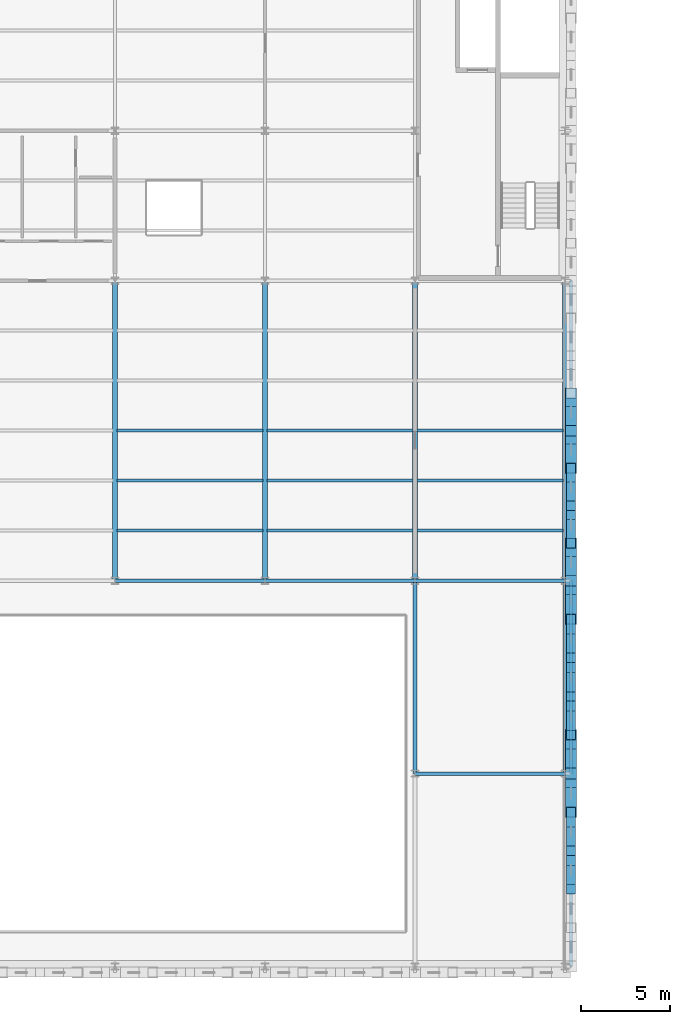
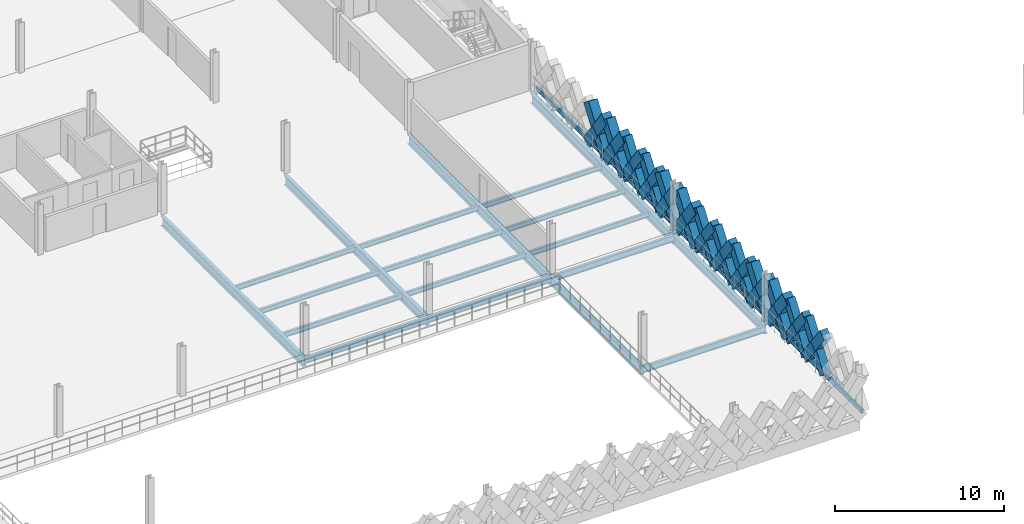
# One storey, part 24 of 79: 42 members, 19 beams.
"""IFC4 building model written with IfcOpenShell, lengths in metres."""

from ifc_helpers import new_model, si_unit, direction, frame, origin, origin_2d, place, context, subcontext, project, spatial, rectangle, hollow_rectangle, i_section, extrude, material, material_profile, profile_set, type_object, element, save


model = new_model("IFC4")

# Units and contexts
model_context = context("Model", 3, precision=1e-05, world=origin(), true_north=direction((0.0, 1.0)))
body_context = subcontext(model_context, "Body", "Model", "MODEL_VIEW")
ifc_project = project(units=[si_unit("LENGTHUNIT", "METRE"), si_unit("AREAUNIT", "SQUARE_METRE"), si_unit("VOLUMEUNIT", "CUBIC_METRE"), si_unit("PLANEANGLEUNIT", "RADIAN"), si_unit("MASSUNIT", "GRAM", prefix="KILO"), si_unit("THERMODYNAMICTEMPERATUREUNIT", "KELVIN"), si_unit("POWERUNIT", "WATT")], contexts=[model_context])

# Site, building, storey
site_placement = place(None, origin())
site = spatial("IfcSite", under=ifc_project, at=site_placement, CompositionType="ELEMENT")
building_placement = place(site_placement, origin())
building = spatial("IfcBuilding", under=site, at=building_placement, Name="Tembeka Court Mobility Hub", CompositionType="ELEMENT")
storey_placement = place(building_placement, frame((0.0, 0.0, 9.0)))
storey = spatial("IfcBuildingStorey", under=building, at=storey_placement, Name="L02", CompositionType="ELEMENT", Elevation=9.0)

# Beams
ifc_material_1 = material(Name="Steel S355", Category="steel")
ifc_material_profile_1 = material_profile(ifc_material_1, i_section(OverallWidth=0.18994140625, OverallDepth=0.45703125, WebThickness=0.009033203125, FlangeThickness=0.014404296875, FilletRadius=0.01025390625, at=origin_2d()), Name="UKB 457x191x74")
ifc_profile_set_1 = profile_set([ifc_material_profile_1], Name="Steel S355")
beam_type_1 = type_object("IfcBeamType", Name="BM-B01", PredefinedType="BEAM", material=ifc_profile_set_1)
beam_1_placement = place(storey_placement, frame((84.0, 10.800048828125, -0.448486328125), z_axis=(1.0, 0.0, 0.0), x_axis=(0.0, 1.0, 0.0)))
element("IfcBeam", 1, at=beam_1_placement, inside=storey, type_object=beam_type_1, Name="Beam B01 (BM-L02-X1187)", PredefinedType="BEAM", context=body_context, shape_type="SweptSolid", body=[
    extrude(i_section(OverallWidth=0.18994140625, OverallDepth=0.45703125, WebThickness=0.009033203125, FlangeThickness=0.014404296875, FilletRadius=0.01025390625, at=origin_2d()), origin(), (0.0, 0.0, 1.0), 8.39990234375),
])
beam_2_placement = place(storey_placement, frame((67.199951171875, 21.60009765625, -0.448486328125), z_axis=(1.0, 0.0, 0.0), x_axis=(0.0, 1.0, 0.0)))
element("IfcBeam", 2, at=beam_2_placement, inside=storey, type_object=beam_type_1, Name="Beam B01 (BM-L02-X1201)", PredefinedType="BEAM", context=body_context, shape_type="SweptSolid", body=[
    extrude(i_section(OverallWidth=0.18994140625, OverallDepth=0.45703125, WebThickness=0.009033203125, FlangeThickness=0.014404296875, FilletRadius=0.01025390625, at=origin_2d()), origin(), (0.0, 0.0, 1.0), 8.400146484375),
])
for number, where, z_axis, x_axis, name in (
    (3, (75.60009765625, 21.60009765625, -0.448486328125), (1.0, 0.0, 0.0), (0.0, 1.0, 0.0), "Beam B01 (BM-L02-X1202)"),
    (4, (84.0, 21.60009765625, -0.448486328125), (1.0, 0.0, 0.0), (0.0, 1.0, 0.0), "Beam B01 (BM-L02-X1203)"),
):
    element("IfcBeam", number, at=place(storey_placement, frame(where, z_axis=z_axis, x_axis=x_axis)), inside=storey, type_object=beam_type_1, Name=name, PredefinedType="BEAM", context=body_context, shape_type="SweptSolid", body=[
        extrude(i_section(OverallWidth=0.18994140625, OverallDepth=0.45703125, WebThickness=0.009033203125, FlangeThickness=0.014404296875, FilletRadius=0.01025390625, at=origin_2d()), origin(), (0.0, 0.0, 1.0), 8.39990234375),
    ])
ifc_material_profile_2 = material_profile(ifc_material_1, i_section(OverallWidth=0.25390625, OverallDepth=0.68408203125, WebThickness=0.012451171875, FlangeThickness=0.01904296875, FilletRadius=0.01513671875, at=origin_2d()), Name="UKB 686x254x140")
ifc_profile_set_2 = profile_set([ifc_material_profile_2], Name="Steel S355")
beam_type_2 = type_object("IfcBeamType", Name="BM-G01", PredefinedType="USERDEFINED", material=ifc_profile_set_2)
for number, where, z_axis, x_axis, name in (
    (5, (67.199951171875, 21.60009765625, -0.56201171875), (0.0, 1.0, 0.0), (-1.0, 0.0, 0.0), "Beam G01 (BM-L02-Y1376)"),
    (6, (75.60009765625, 21.60009765625, -0.56201171875), (0.0, 1.0, 0.0), (-1.0, 0.0, 0.0), "Beam G01 (BM-L02-Y1383)"),
    (7, (84.0, 21.60009765625, -0.56201171875), (0.0, 1.0, 0.0), (-1.0, 0.0, 0.0), "Beam G01 (BM-L02-Y1392)"),
    (8, (92.39990234375, 21.60009765625, -0.56201171875), (0.0, 1.0, 0.0), (-1.0, 0.0, 0.0), "Beam G01 (BM-L02-Y1403)"),
):
    element("IfcBeam", number, at=place(storey_placement, frame(where, z_axis=z_axis, x_axis=x_axis)), inside=storey, type_object=beam_type_2, Name=name, ObjectType="GIRDER", PredefinedType="USERDEFINED", context=body_context, shape_type="SweptSolid", body=[
        extrude(i_section(OverallWidth=0.25390625, OverallDepth=0.68408203125, WebThickness=0.012451171875, FlangeThickness=0.01904296875, FilletRadius=0.01513671875, at=origin_2d()), origin(), (0.0, 0.0, 1.0), 16.7998046875),
    ])
ifc_material_profile_3 = material_profile(ifc_material_1, i_section(OverallWidth=0.22900390625, OverallDepth=0.612060546875, WebThickness=0.011962890625, FlangeThickness=0.01953125, FilletRadius=0.0126953125, at=origin_2d()), Name="UKB 610x229x125")
ifc_profile_set_3 = profile_set([ifc_material_profile_3], Name="Steel S355")
beam_type_3 = type_object("IfcBeamType", Name="BM-G02", PredefinedType="USERDEFINED", material=ifc_profile_set_3)
for number, where, z_axis, x_axis, name in (
    (9, (84.0, 10.800048828125, -0.52587890625), (0.0, 1.0, 0.0), (-1.0, 0.0, 0.0), "Beam G02 (BM-L02-Y1391)"),
    (10, (92.39990234375, 10.800048828125, -0.52587890625), (0.0, 1.0, 0.0), (-1.0, 0.0, 0.0), "Beam G02 (BM-L02-Y1402)"),
):
    element("IfcBeam", number, at=place(storey_placement, frame(where, z_axis=z_axis, x_axis=x_axis)), inside=storey, type_object=beam_type_3, Name=name, ObjectType="GIRDER", PredefinedType="USERDEFINED", context=body_context, shape_type="SweptSolid", body=[
        extrude(i_section(OverallWidth=0.22900390625, OverallDepth=0.612060546875, WebThickness=0.011962890625, FlangeThickness=0.01953125, FilletRadius=0.0126953125, at=origin_2d()), origin(), (0.0, 0.0, 1.0), 10.800048828125),
    ])
ifc_material_profile_4 = material_profile(ifc_material_1, i_section(OverallWidth=0.172119140625, OverallDepth=0.35498046875, WebThickness=0.00732421875, FlangeThickness=0.011474609375, FilletRadius=0.01025390625, at=origin_2d()), Name="UKB 356x171x51")
ifc_profile_set_4 = profile_set([ifc_material_profile_4], Name="Steel S355")
beam_type_4 = type_object("IfcBeamType", Name="BM-J01", PredefinedType="JOIST", material=ifc_profile_set_4)
for number, where, z_axis, x_axis, name in (
    (11, (67.322021484375, 24.39990234375, -0.3974609375), (1.0, 0.0, 0.0), (0.0, 1.0, 0.0), "Beam J01 (JST-L02-1583)"),
    (12, (67.322021484375, 27.199951171875, -0.3974609375), (1.0, 0.0, 0.0), (0.0, 1.0, 0.0), "Beam J01 (JST-L02-1584)"),
    (13, (67.322021484375, 30.0, -0.3974609375), (1.0, 0.0, 0.0), (0.0, 1.0, 0.0), "Beam J01 (JST-L02-1585)"),
    (14, (75.721923828125, 24.39990234375, -0.3974609375), (1.0, 0.0, 0.0), (0.0, 1.0, 0.0), "Beam J01 (JST-L02-1603)"),
    (15, (75.721923828125, 27.199951171875, -0.3974609375), (1.0, 0.0, 0.0), (0.0, 1.0, 0.0), "Beam J01 (JST-L02-1604)"),
    (16, (75.721923828125, 30.0, -0.3974609375), (1.0, 0.0, 0.0), (0.0, 1.0, 0.0), "Beam J01 (JST-L02-1605)"),
    (17, (84.1220703125, 24.39990234375, -0.3974609375), (1.0, 0.0, 0.0), (0.0, 1.0, 0.0), "Beam J01 (JST-L02-1623)"),
    (18, (84.1220703125, 27.199951171875, -0.3974609375), (1.0, 0.0, 0.0), (0.0, 1.0, 0.0), "Beam J01 (JST-L02-1624)"),
    (19, (84.1220703125, 30.0, -0.3974609375), (1.0, 0.0, 0.0), (0.0, 1.0, 0.0), "Beam J01 (JST-L02-1625)"),
):
    element("IfcBeam", number, at=place(storey_placement, frame(where, z_axis=z_axis, x_axis=x_axis)), inside=storey, type_object=beam_type_4, Name=name, PredefinedType="JOIST", context=body_context, shape_type="SweptSolid", body=[
        extrude(i_section(OverallWidth=0.172119140625, OverallDepth=0.35498046875, WebThickness=0.00732421875, FlangeThickness=0.011474609375, FilletRadius=0.01025390625, at=origin_2d()), origin(), (0.0, 0.0, 1.0), 8.156005859375),
    ])

# Members
ifc_material_2 = material(Name="Precast concrete C45/55", Category="concrete")
ifc_material_profile_5 = material_profile(ifc_material_2, rectangle(XDim=0.5, YDim=0.64990234375, at=origin_2d()), Name="PC-DIAG 500x650")
ifc_profile_set_5 = profile_set([ifc_material_profile_5], Name="Precast concrete C45/55")
member_type_1 = type_object("IfcMemberType", Name="MEM-DL01", PredefinedType="BRACE", material=ifc_profile_set_5)
member_1_placement = place(storey_placement, frame((92.739990234375, 4.320068359375, 0.02001953125), z_axis=(0.0, 0.593379766398, 0.804922637792), x_axis=(-1.0, 0.0, 0.0)))
element("IfcMember", 20, at=member_1_placement, inside=storey, type_object=member_type_1, Name="Precast diamond lattice continuous strand DL01 (L02-335C)", PredefinedType="BRACE", context=body_context, shape_type="SweptSolid", body=[
    extrude(rectangle(XDim=0.5, YDim=0.64990234375, at=origin_2d()), origin(), (0.0, 0.0, 1.0), 3.64013671875),
])
member_2_placement = place(storey_placement, frame((92.739990234375, 6.47998046875, 0.02001953125), z_axis=(0.0, -0.593391185876, 0.804914219358), x_axis=(1.0, 0.0, 0.0)))
element("IfcMember", 21, at=member_2_placement, inside=storey, type_object=member_type_1, Name="Precast diamond lattice split lower strand DL01 (L02-335D1)", PredefinedType="BRACE", context=body_context, shape_type="SweptSolid", body=[
    extrude(rectangle(XDim=0.5, YDim=0.64990234375, at=origin_2d()), origin(), (0.0, 0.0, 1.0), 1.820068359375),
])
member_3_placement = place(storey_placement, frame((92.739990234375, 5.39990234375, 1.485107421875), z_axis=(0.0, -0.593368344659, 0.804931057642), x_axis=(1.0, 0.0, 0.0)))
element("IfcMember", 22, at=member_3_placement, inside=storey, type_object=member_type_1, Name="Precast diamond lattice split upper strand DL01 (L02-335D2)", PredefinedType="BRACE", context=body_context, shape_type="SweptSolid", body=[
    extrude(rectangle(XDim=0.5, YDim=0.64990234375, at=origin_2d()), origin(), (0.0, 0.0, 1.0), 1.81982421875),
])
member_4_placement = place(storey_placement, frame((92.739990234375, 6.47998046875, 0.02001953125), z_axis=(0.0, 0.593379766398, 0.804922637792), x_axis=(-1.0, 0.0, 0.0)))
element("IfcMember", 23, at=member_4_placement, inside=storey, type_object=member_type_1, Name="Precast diamond lattice continuous strand DL01 (L02-336C)", PredefinedType="BRACE", context=body_context, shape_type="SweptSolid", body=[
    extrude(rectangle(XDim=0.5, YDim=0.64990234375, at=origin_2d()), origin(), (0.0, 0.0, 1.0), 3.64013671875),
])
for number, where, z_axis, x_axis, name in (
    (24, (92.739990234375, 8.639892578125, 0.02001953125), (0.0, -0.593304274421, 0.804978284151), (1.0, 0.0, 0.0), "Precast diamond lattice split lower strand DL01 (L02-336D1)"),
    (25, (92.739990234375, 7.56005859375, 1.485107421875), (0.0, -0.593455255298, 0.804866982773), (1.0, 0.0, 0.0), "Precast diamond lattice split upper strand DL01 (L02-336D2)"),
):
    element("IfcMember", number, at=place(storey_placement, frame(where, z_axis=z_axis, x_axis=x_axis)), inside=storey, type_object=member_type_1, Name=name, PredefinedType="BRACE", context=body_context, shape_type="SweptSolid", body=[
        extrude(rectangle(XDim=0.5, YDim=0.64990234375, at=origin_2d()), origin(), (0.0, 0.0, 1.0), 1.820068359375),
    ])
member_5_placement = place(storey_placement, frame((92.739990234375, 12.9599609375, 0.02001953125), z_axis=(0.0, 0.593423219328, 0.804890602978), x_axis=(-1.0, 0.0, 0.0)))
element("IfcMember", 26, at=member_5_placement, inside=storey, type_object=member_type_1, Name="Precast diamond lattice continuous strand DL01 (L02-339C)", PredefinedType="BRACE", context=body_context, shape_type="SweptSolid", body=[
    extrude(rectangle(XDim=0.5, YDim=0.64990234375, at=origin_2d()), origin(), (0.0, 0.0, 1.0), 3.64013671875),
])
for number, where, z_axis, x_axis, name in (
    (27, (92.739990234375, 15.1201171875, 0.02001953125), (0.0, -0.593391185876, 0.804914219358), (1.0, 0.0, 0.0), "Precast diamond lattice split lower strand DL01 (L02-339D1)"),
    (28, (92.739990234375, 14.0400390625, 1.485107421875), (0.0, -0.593455255298, 0.804866982773), (1.0, 0.0, 0.0), "Precast diamond lattice split upper strand DL01 (L02-339D2)"),
):
    element("IfcMember", number, at=place(storey_placement, frame(where, z_axis=z_axis, x_axis=x_axis)), inside=storey, type_object=member_type_1, Name=name, PredefinedType="BRACE", context=body_context, shape_type="SweptSolid", body=[
        extrude(rectangle(XDim=0.5, YDim=0.64990234375, at=origin_2d()), origin(), (0.0, 0.0, 1.0), 1.820068359375),
    ])
member_6_placement = place(storey_placement, frame((92.739990234375, 15.1201171875, 0.02001953125), z_axis=(0.0, 0.593379766398, 0.804922637792), x_axis=(-1.0, 0.0, 0.0)))
element("IfcMember", 29, at=member_6_placement, inside=storey, type_object=member_type_1, Name="Precast diamond lattice continuous strand DL01 (L02-340C)", PredefinedType="BRACE", context=body_context, shape_type="SweptSolid", body=[
    extrude(rectangle(XDim=0.5, YDim=0.64990234375, at=origin_2d()), origin(), (0.0, 0.0, 1.0), 3.64013671875),
])
member_7_placement = place(storey_placement, frame((92.739990234375, 17.280029296875, 0.02001953125), z_axis=(0.0, -0.593391185876, 0.804914219358), x_axis=(1.0, 0.0, 0.0)))
element("IfcMember", 30, at=member_7_placement, inside=storey, type_object=member_type_1, Name="Precast diamond lattice split lower strand DL01 (L02-340D1)", PredefinedType="BRACE", context=body_context, shape_type="SweptSolid", body=[
    extrude(rectangle(XDim=0.5, YDim=0.64990234375, at=origin_2d()), origin(), (0.0, 0.0, 1.0), 1.820068359375),
])
member_8_placement = place(storey_placement, frame((92.739990234375, 16.199951171875, 1.485107421875), z_axis=(0.0, -0.593368344659, 0.804931057642), x_axis=(1.0, 0.0, 0.0)))
element("IfcMember", 31, at=member_8_placement, inside=storey, type_object=member_type_1, Name="Precast diamond lattice split upper strand DL01 (L02-340D2)", PredefinedType="BRACE", context=body_context, shape_type="SweptSolid", body=[
    extrude(rectangle(XDim=0.5, YDim=0.64990234375, at=origin_2d()), origin(), (0.0, 0.0, 1.0), 1.81982421875),
])
member_9_placement = place(storey_placement, frame((92.739990234375, 17.280029296875, 0.02001953125), z_axis=(0.0, 0.593379766398, 0.804922637792), x_axis=(-1.0, 0.0, 0.0)))
element("IfcMember", 32, at=member_9_placement, inside=storey, type_object=member_type_1, Name="Precast diamond lattice continuous strand DL01 (L02-341C)", PredefinedType="BRACE", context=body_context, shape_type="SweptSolid", body=[
    extrude(rectangle(XDim=0.5, YDim=0.64990234375, at=origin_2d()), origin(), (0.0, 0.0, 1.0), 3.64013671875),
])
for number, where, z_axis, x_axis, name in (
    (33, (92.739990234375, 19.43994140625, 0.02001953125), (0.0, -0.593304274421, 0.804978284151), (1.0, 0.0, 0.0), "Precast diamond lattice split lower strand DL01 (L02-341D1)"),
    (34, (92.739990234375, 18.360107421875, 1.485107421875), (0.0, -0.593455255298, 0.804866982773), (1.0, 0.0, 0.0), "Precast diamond lattice split upper strand DL01 (L02-341D2)"),
):
    element("IfcMember", number, at=place(storey_placement, frame(where, z_axis=z_axis, x_axis=x_axis)), inside=storey, type_object=member_type_1, Name=name, PredefinedType="BRACE", context=body_context, shape_type="SweptSolid", body=[
        extrude(rectangle(XDim=0.5, YDim=0.64990234375, at=origin_2d()), origin(), (0.0, 0.0, 1.0), 1.820068359375),
    ])
member_10_placement = place(storey_placement, frame((92.739990234375, 23.699951171875, 0.02001953125), z_axis=(0.0, 0.582576362011, 0.812775973086), x_axis=(-1.0, 0.0, 0.0)))
element("IfcMember", 35, at=member_10_placement, inside=storey, type_object=member_type_1, Name="Precast diamond lattice continuous strand DL01 (L02-344C)", PredefinedType="BRACE", context=body_context, shape_type="SweptSolid", body=[
    extrude(rectangle(XDim=0.5, YDim=0.64990234375, at=origin_2d()), origin(), (0.0, 0.0, 1.0), 3.604736328125),
])
member_11_placement = place(storey_placement, frame((92.739990234375, 25.800048828125, 0.02001953125), z_axis=(0.0, -0.582544294934, 0.812798956963), x_axis=(1.0, 0.0, 0.0)))
element("IfcMember", 36, at=member_11_placement, inside=storey, type_object=member_type_1, Name="Precast diamond lattice split lower strand DL01 (L02-344D1)", PredefinedType="BRACE", context=body_context, shape_type="SweptSolid", body=[
    extrude(rectangle(XDim=0.5, YDim=0.64990234375, at=origin_2d()), origin(), (0.0, 0.0, 1.0), 1.802490234375),
])
member_12_placement = place(storey_placement, frame((92.739990234375, 24.75, 1.485107421875), z_axis=(0.0, -0.582608431711, 0.812752985414), x_axis=(1.0, 0.0, 0.0)))
element("IfcMember", 37, at=member_12_placement, inside=storey, type_object=member_type_1, Name="Precast diamond lattice split upper strand DL01 (L02-344D2)", PredefinedType="BRACE", context=body_context, shape_type="SweptSolid", body=[
    extrude(rectangle(XDim=0.5, YDim=0.64990234375, at=origin_2d()), origin(), (0.0, 0.0, 1.0), 1.80224609375),
])
member_13_placement = place(storey_placement, frame((92.739990234375, 25.800048828125, 0.02001953125), z_axis=(0.0, 0.58253161945, 0.812808041509), x_axis=(-1.0, 0.0, 0.0)))
element("IfcMember", 38, at=member_13_placement, inside=storey, type_object=member_type_1, Name="Precast diamond lattice continuous strand DL01 (L02-345C)", PredefinedType="BRACE", context=body_context, shape_type="SweptSolid", body=[
    extrude(rectangle(XDim=0.5, YDim=0.64990234375, at=origin_2d()), origin(), (0.0, 0.0, 1.0), 3.604736328125),
])
member_14_placement = place(storey_placement, frame((92.739990234375, 27.89990234375, 0.02001953125), z_axis=(0.0, -0.582454804382, 0.812863088627), x_axis=(1.0, 0.0, 0.0)))
element("IfcMember", 39, at=member_14_placement, inside=storey, type_object=member_type_1, Name="Precast diamond lattice split lower strand DL01 (L02-345D1)", PredefinedType="BRACE", context=body_context, shape_type="SweptSolid", body=[
    extrude(rectangle(XDim=0.5, YDim=0.64990234375, at=origin_2d()), origin(), (0.0, 0.0, 1.0), 1.802490234375),
])
member_15_placement = place(storey_placement, frame((92.739990234375, 26.85009765625, 1.485107421875), z_axis=(0.0, -0.582608431711, 0.812752985414), x_axis=(1.0, 0.0, 0.0)))
element("IfcMember", 40, at=member_15_placement, inside=storey, type_object=member_type_1, Name="Precast diamond lattice split upper strand DL01 (L02-345D2)", PredefinedType="BRACE", context=body_context, shape_type="SweptSolid", body=[
    extrude(rectangle(XDim=0.5, YDim=0.64990234375, at=origin_2d()), origin(), (0.0, 0.0, 1.0), 1.80224609375),
])
ifc_material_profile_6 = material_profile(ifc_material_2, rectangle(XDim=0.60009765625, YDim=0.75, at=origin_2d()), Name="PC-DIAG 600x750")
ifc_profile_set_6 = profile_set([ifc_material_profile_6], Name="Precast concrete C45/55")
member_type_2 = type_object("IfcMemberType", Name="MEM-DL02", PredefinedType="BRACE", material=ifc_profile_set_6)
member_16_placement = place(storey_placement, frame((92.739990234375, 8.639892578125, 0.02001953125), z_axis=(0.0, 0.593423219328, 0.804890602978), x_axis=(-1.0, 0.0, 0.0)))
element("IfcMember", 41, at=member_16_placement, inside=storey, type_object=member_type_2, Name="Precast diamond lattice continuous strand DL02 (L02-337C)", PredefinedType="BRACE", context=body_context, shape_type="SweptSolid", body=[
    extrude(rectangle(XDim=0.60009765625, YDim=0.75, at=origin_2d()), origin(), (0.0, 0.0, 1.0), 3.64013671875),
])
for number, where, z_axis, x_axis, name in (
    (42, (92.739990234375, 10.800048828125, 0.02001953125), (0.0, -0.593391185876, 0.804914219358), (1.0, 0.0, 0.0), "Precast diamond lattice split lower strand DL02 (L02-337D1)"),
    (43, (92.739990234375, 9.719970703125, 1.485107421875), (0.0, -0.593455255298, 0.804866982773), (1.0, 0.0, 0.0), "Precast diamond lattice split upper strand DL02 (L02-337D2)"),
):
    element("IfcMember", number, at=place(storey_placement, frame(where, z_axis=z_axis, x_axis=x_axis)), inside=storey, type_object=member_type_2, Name=name, PredefinedType="BRACE", context=body_context, shape_type="SweptSolid", body=[
        extrude(rectangle(XDim=0.60009765625, YDim=0.75, at=origin_2d()), origin(), (0.0, 0.0, 1.0), 1.820068359375),
    ])
member_17_placement = place(storey_placement, frame((92.739990234375, 10.800048828125, 0.02001953125), z_axis=(0.0, 0.593379766398, 0.804922637792), x_axis=(-1.0, 0.0, 0.0)))
element("IfcMember", 44, at=member_17_placement, inside=storey, type_object=member_type_2, Name="Precast diamond lattice continuous strand DL02 (L02-338C)", PredefinedType="BRACE", context=body_context, shape_type="SweptSolid", body=[
    extrude(rectangle(XDim=0.60009765625, YDim=0.75, at=origin_2d()), origin(), (0.0, 0.0, 1.0), 3.64013671875),
])
member_18_placement = place(storey_placement, frame((92.739990234375, 12.9599609375, 0.02001953125), z_axis=(0.0, -0.593391185876, 0.804914219358), x_axis=(1.0, 0.0, 0.0)))
element("IfcMember", 45, at=member_18_placement, inside=storey, type_object=member_type_2, Name="Precast diamond lattice split lower strand DL02 (L02-338D1)", PredefinedType="BRACE", context=body_context, shape_type="SweptSolid", body=[
    extrude(rectangle(XDim=0.60009765625, YDim=0.75, at=origin_2d()), origin(), (0.0, 0.0, 1.0), 1.820068359375),
])
member_19_placement = place(storey_placement, frame((92.739990234375, 11.8798828125, 1.485107421875), z_axis=(0.0, -0.593368344659, 0.804931057642), x_axis=(1.0, 0.0, 0.0)))
element("IfcMember", 46, at=member_19_placement, inside=storey, type_object=member_type_2, Name="Precast diamond lattice split upper strand DL02 (L02-338D2)", PredefinedType="BRACE", context=body_context, shape_type="SweptSolid", body=[
    extrude(rectangle(XDim=0.60009765625, YDim=0.75, at=origin_2d()), origin(), (0.0, 0.0, 1.0), 1.81982421875),
])
member_20_placement = place(storey_placement, frame((92.739990234375, 19.43994140625, 0.02001953125), z_axis=(0.0, 0.593423219328, 0.804890602978), x_axis=(-1.0, 0.0, 0.0)))
element("IfcMember", 47, at=member_20_placement, inside=storey, type_object=member_type_2, Name="Precast diamond lattice continuous strand DL02 (L02-342C)", PredefinedType="BRACE", context=body_context, shape_type="SweptSolid", body=[
    extrude(rectangle(XDim=0.60009765625, YDim=0.75, at=origin_2d()), origin(), (0.0, 0.0, 1.0), 3.64013671875),
])
for number, where, z_axis, x_axis, name in (
    (48, (92.739990234375, 21.60009765625, 0.02001953125), (0.0, -0.593391185876, 0.804914219358), (1.0, 0.0, 0.0), "Precast diamond lattice split lower strand DL02 (L02-342D1)"),
    (49, (92.739990234375, 20.52001953125, 1.485107421875), (0.0, -0.593455255298, 0.804866982773), (1.0, 0.0, 0.0), "Precast diamond lattice split upper strand DL02 (L02-342D2)"),
):
    element("IfcMember", number, at=place(storey_placement, frame(where, z_axis=z_axis, x_axis=x_axis)), inside=storey, type_object=member_type_2, Name=name, PredefinedType="BRACE", context=body_context, shape_type="SweptSolid", body=[
        extrude(rectangle(XDim=0.60009765625, YDim=0.75, at=origin_2d()), origin(), (0.0, 0.0, 1.0), 1.820068359375),
    ])
member_21_placement = place(storey_placement, frame((92.739990234375, 21.60009765625, 0.02001953125), z_axis=(0.0, 0.58253161945, 0.812808041509), x_axis=(-1.0, 0.0, 0.0)))
element("IfcMember", 50, at=member_21_placement, inside=storey, type_object=member_type_2, Name="Precast diamond lattice continuous strand DL02 (L02-343C)", PredefinedType="BRACE", context=body_context, shape_type="SweptSolid", body=[
    extrude(rectangle(XDim=0.60009765625, YDim=0.75, at=origin_2d()), origin(), (0.0, 0.0, 1.0), 3.604736328125),
])
member_22_placement = place(storey_placement, frame((92.739990234375, 23.699951171875, 0.02001953125), z_axis=(0.0, -0.582544294934, 0.812798956963), x_axis=(1.0, 0.0, 0.0)))
element("IfcMember", 51, at=member_22_placement, inside=storey, type_object=member_type_2, Name="Precast diamond lattice split lower strand DL02 (L02-343D1)", PredefinedType="BRACE", context=body_context, shape_type="SweptSolid", body=[
    extrude(rectangle(XDim=0.60009765625, YDim=0.75, at=origin_2d()), origin(), (0.0, 0.0, 1.0), 1.802490234375),
])
member_23_placement = place(storey_placement, frame((92.739990234375, 22.64990234375, 1.485107421875), z_axis=(0.0, -0.582518941428, 0.812817127574), x_axis=(1.0, 0.0, 0.0)))
element("IfcMember", 52, at=member_23_placement, inside=storey, type_object=member_type_2, Name="Precast diamond lattice split upper strand DL02 (L02-343D2)", PredefinedType="BRACE", context=body_context, shape_type="SweptSolid", body=[
    extrude(rectangle(XDim=0.60009765625, YDim=0.75, at=origin_2d()), origin(), (0.0, 0.0, 1.0), 1.80224609375),
])
member_24_placement = place(storey_placement, frame((92.739990234375, 27.89990234375, 0.02001953125), z_axis=(0.0, 0.582576362011, 0.812775973086), x_axis=(-1.0, 0.0, 0.0)))
element("IfcMember", 53, at=member_24_placement, inside=storey, type_object=member_type_2, Name="Precast diamond lattice continuous strand DL02 (L02-346C)", PredefinedType="BRACE", context=body_context, shape_type="SweptSolid", body=[
    extrude(rectangle(XDim=0.60009765625, YDim=0.75, at=origin_2d()), origin(), (0.0, 0.0, 1.0), 3.604736328125),
])
member_25_placement = place(storey_placement, frame((92.739990234375, 30.0, 0.02001953125), z_axis=(0.0, -0.582544294934, 0.812798956963), x_axis=(1.0, 0.0, 0.0)))
element("IfcMember", 54, at=member_25_placement, inside=storey, type_object=member_type_2, Name="Precast diamond lattice split lower strand DL02 (L02-346D1)", PredefinedType="BRACE", context=body_context, shape_type="SweptSolid", body=[
    extrude(rectangle(XDim=0.60009765625, YDim=0.75, at=origin_2d()), origin(), (0.0, 0.0, 1.0), 1.802490234375),
])
member_26_placement = place(storey_placement, frame((92.739990234375, 28.949951171875, 1.485107421875), z_axis=(0.0, -0.582608431711, 0.812752985414), x_axis=(1.0, 0.0, 0.0)))
element("IfcMember", 55, at=member_26_placement, inside=storey, type_object=member_type_2, Name="Precast diamond lattice split upper strand DL02 (L02-346D2)", PredefinedType="BRACE", context=body_context, shape_type="SweptSolid", body=[
    extrude(rectangle(XDim=0.60009765625, YDim=0.75, at=origin_2d()), origin(), (0.0, 0.0, 1.0), 1.80224609375),
])
member_27_placement = place(storey_placement, frame((92.739990234375, 30.0, 0.02001953125), z_axis=(0.0, 0.582576362011, 0.812775973086), x_axis=(-1.0, 0.0, 0.0)))
element("IfcMember", 56, at=member_27_placement, inside=storey, type_object=member_type_2, Name="Precast diamond lattice continuous strand DL02 (L02-347C)", PredefinedType="BRACE", context=body_context, shape_type="SweptSolid", body=[
    extrude(rectangle(XDim=0.60009765625, YDim=0.75, at=origin_2d()), origin(), (0.0, 0.0, 1.0), 3.604736328125),
])
member_28_placement = place(storey_placement, frame((92.739990234375, 32.10009765625, 0.02001953125), z_axis=(0.0, -0.582544294934, 0.812798956963), x_axis=(1.0, 0.0, 0.0)))
element("IfcMember", 57, at=member_28_placement, inside=storey, type_object=member_type_2, Name="Precast diamond lattice split lower strand DL02 (L02-347D1)", PredefinedType="BRACE", context=body_context, shape_type="SweptSolid", body=[
    extrude(rectangle(XDim=0.60009765625, YDim=0.75, at=origin_2d()), origin(), (0.0, 0.0, 1.0), 1.802490234375),
])
member_29_placement = place(storey_placement, frame((92.739990234375, 31.050048828125, 1.485107421875), z_axis=(0.0, -0.582608431711, 0.812752985414), x_axis=(1.0, 0.0, 0.0)))
element("IfcMember", 58, at=member_29_placement, inside=storey, type_object=member_type_2, Name="Precast diamond lattice split upper strand DL02 (L02-347D2)", PredefinedType="BRACE", context=body_context, shape_type="SweptSolid", body=[
    extrude(rectangle(XDim=0.60009765625, YDim=0.75, at=origin_2d()), origin(), (0.0, 0.0, 1.0), 1.80224609375),
])
ifc_material_profile_7 = material_profile(ifc_material_1, hollow_rectangle(XDim=0.14990234375, YDim=0.300048828125, WallThickness=0.010009765625, at=origin_2d()), Name="RHS 300x150x10")
ifc_profile_set_7 = profile_set([ifc_material_profile_7], Name="Steel S355")
member_type_3 = type_object("IfcMemberType", Name="MEM-ST03", PredefinedType="STRUT", material=ifc_profile_set_7)
for number, where, z_axis, x_axis, name in (
    (59, (92.739990234375, 0.0, 0.02001953125), (0.0, 1.0, 0.0), (-1.0, 0.0, 0.0), "Proud lattice sill tie chord SR03 (L02-E-0)"),
    (60, (92.739990234375, 10.800048828125, 0.02001953125), (0.0, 1.0, 0.0), (-1.0, 0.0, 0.0), "Proud lattice sill tie chord SR03 (L02-E-10)"),
):
    element("IfcMember", number, at=place(storey_placement, frame(where, z_axis=z_axis, x_axis=x_axis)), inside=storey, type_object=member_type_3, Name=name, PredefinedType="STRUT", context=body_context, shape_type="SweptSolid", body=[
        extrude(hollow_rectangle(XDim=0.14990234375, YDim=0.300048828125, WallThickness=0.010009765625, at=origin_2d()), origin(), (0.0, 0.0, 1.0), 10.800048828125),
    ])
member_30_placement = place(storey_placement, frame((92.739990234375, 21.60009765625, 0.02001953125), z_axis=(0.0, 1.0, 0.0), x_axis=(-1.0, 0.0, 0.0)))
element("IfcMember", 61, at=member_30_placement, inside=storey, type_object=member_type_3, Name="Proud lattice sill tie chord SR03 (L02-E-21)", PredefinedType="STRUT", context=body_context, shape_type="SweptSolid", body=[
    extrude(hollow_rectangle(XDim=0.14990234375, YDim=0.300048828125, WallThickness=0.010009765625, at=origin_2d()), origin(), (0.0, 0.0, 1.0), 16.7998046875),
])

save(model, "model.ifc")
